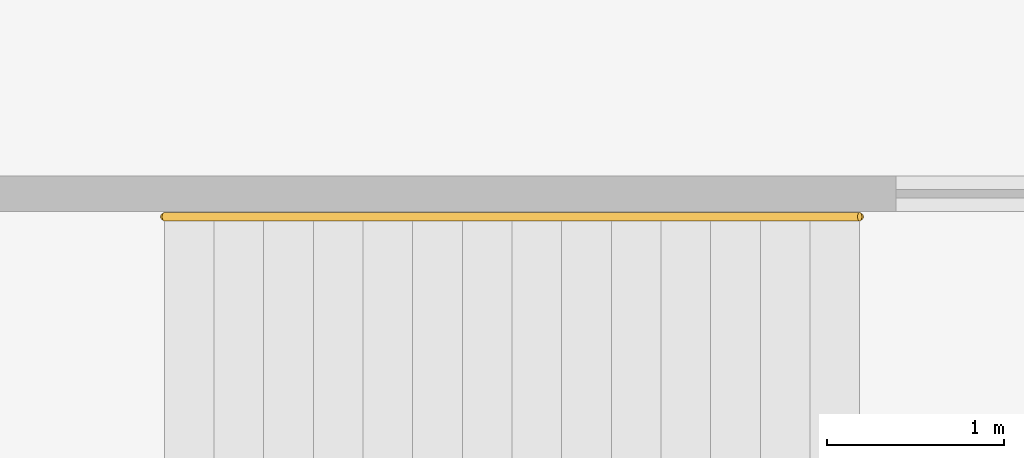
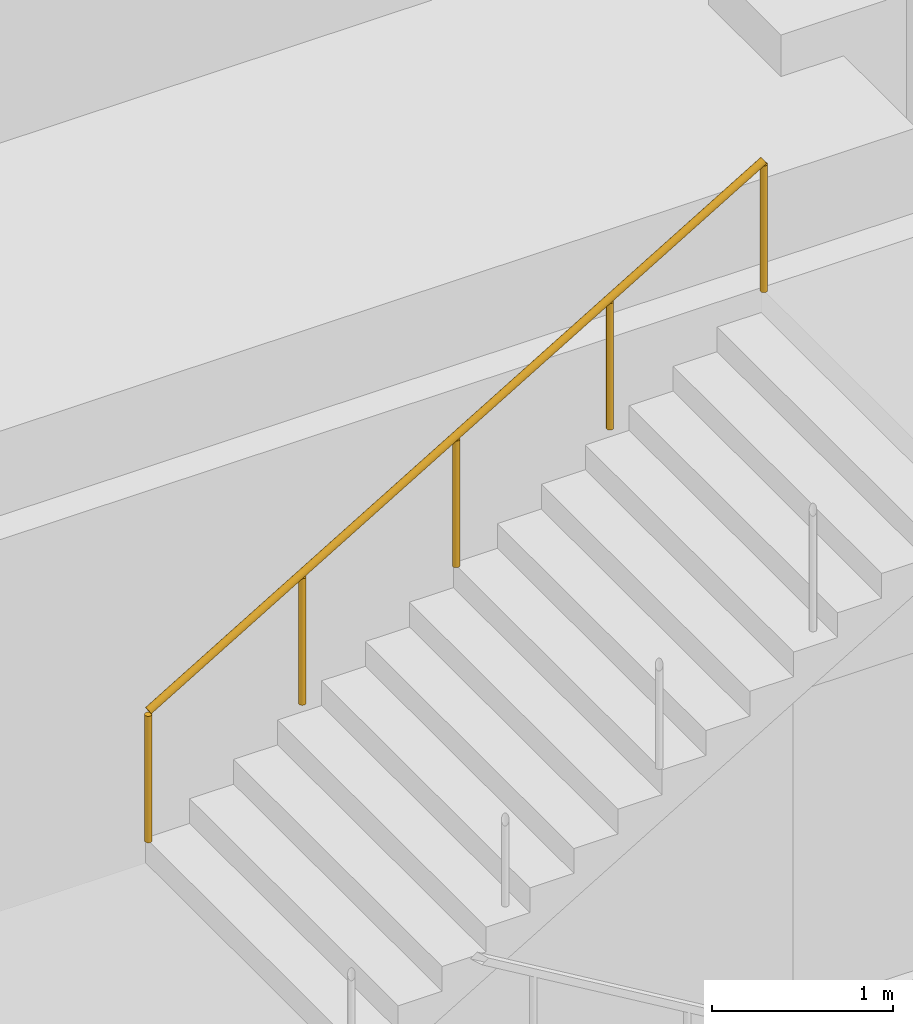
# One storey, part 24 of 24: 1 railing.
"""IFC4 building model written with IfcOpenShell, lengths in metres."""

from ifc_helpers import new_model, si_unit, direction, frame, origin, origin_2d, place, context, subcontext, project, spatial, circle, extrude, material, constituent, constituent_set, type_object, element, save


model = new_model("IFC4")

# Units and contexts
model_context = context("Model", 3, precision=1e-05, world=origin(), true_north=direction((0.0, 1.0)))
body_context = subcontext(model_context, "Body", "Model", "MODEL_VIEW")
ifc_project = project(units=[si_unit("LENGTHUNIT", "METRE"), si_unit("AREAUNIT", "SQUARE_METRE"), si_unit("VOLUMEUNIT", "CUBIC_METRE"), si_unit("PLANEANGLEUNIT", "RADIAN"), si_unit("MASSUNIT", "GRAM", prefix="KILO")], contexts=[model_context])

# Site, building, storey
site_placement = place(None, origin())
site = spatial("IfcSite", under=ifc_project, at=site_placement, CompositionType="ELEMENT")
building_placement = place(site_placement, origin())
building = spatial("IfcBuilding", under=site, at=building_placement, Name="Jalousie Tower", CompositionType="ELEMENT")
storey_placement = place(building_placement, frame((0.0, 0.0, 11.0)))
storey = spatial("IfcBuildingStorey", under=building, at=storey_placement, Name="L02", CompositionType="ELEMENT", Elevation=11.0)

# Railing
ifc_material_1 = material(Name="Steel ASTM A500 Grade C", Category="steel")
ifc_constituent_1 = constituent(ifc_material_1, Name="Body")
ifc_material_2 = material(Name="Hot-dip galvanised zinc coating")
ifc_constituent_2 = constituent(ifc_material_2, Name="Finish")
ifc_constituent_set = constituent_set(constituents=[ifc_constituent_1, ifc_constituent_2])
railing_type = type_object("IfcRailingType", Name="STAIR HANDRAIL 900", PredefinedType="HANDRAIL", material=ifc_constituent_set)
railing_placement = place(storey_placement, frame((53.570068359375, 0.52001953125, 2.666748046875)))
element("IfcRailing", 1, at=railing_placement, inside=storey, type_object=railing_type, Name="Exit stair PS2 handrail L02 flight 2", PredefinedType="HANDRAIL", context=body_context, shape_type="SweptSolid", body=[
    extrude(circle(Radius=0.02392578125, at=origin_2d()), frame((0.0, 0.0, 0.8759765625), z_axis=(0.859296244711, 0.0, 0.511478214419), x_axis=(0.0, 1.0, 0.0)), (0.0, 0.0, 1.0), 4.561767578125),
    extrude(circle(Radius=0.02099609375, at=origin_2d()), origin(), (0.0, 0.0, 1.0), 0.851806640625),
    extrude(circle(Radius=0.02099609375, at=origin_2d()), frame((0.97998046875, 0.0, 0.583251953125)), (0.0, 0.0, 1.0), 0.851806640625),
    extrude(circle(Radius=0.02099609375, at=origin_2d()), frame((1.9599609375, 0.0, 1.16650390625)), (0.0, 0.0, 1.0), 0.851806640625),
    extrude(circle(Radius=0.02099609375, at=origin_2d()), frame((2.93994140625, 0.0, 1.75)), (0.0, 0.0, 1.0), 0.851806640625),
    extrude(circle(Radius=0.02099609375, at=origin_2d()), frame((3.919921875, 0.0, 2.333251953125)), (0.0, 0.0, 1.0), 0.851806640625),
])

save(model, "model.ifc")
